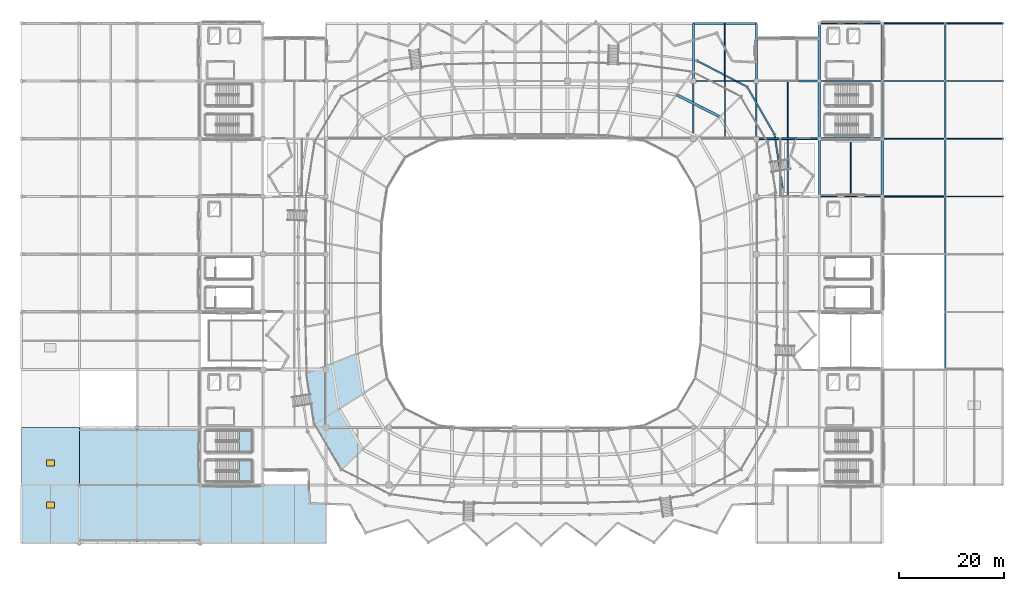
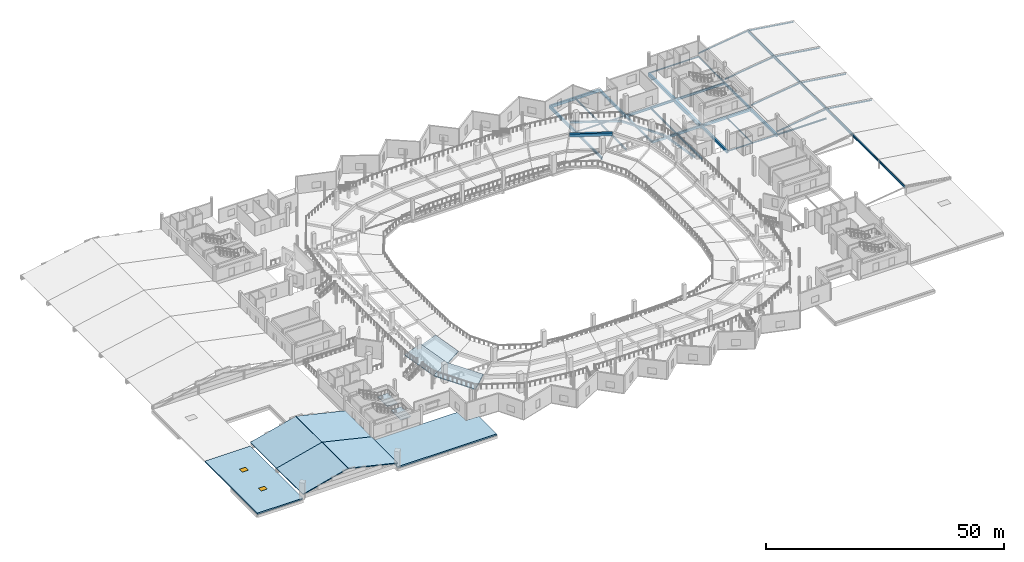
# One storey, part 34 of 77: 37 beams, 11 slabs, 2 windows, 2 openings, 2 elements without a shape of their own.
"""IFC4 building model written with IfcOpenShell, lengths in metres."""

from ifc_helpers import new_model, si_unit, direction, frame, origin, origin_2d, place, context, subcontext, project, spatial, polyline, rectangle, hollow_rectangle, i_section, outline, extrude, material, layer, layer_set, material_profile, profile_set, type_object, element, fill, aggregate, save


model = new_model("IFC4")

# Units and contexts
model_context = context("Model", 3, precision=1e-05, world=origin(), true_north=direction((0.0, 1.0)))
body_context = subcontext(model_context, "Body", "Model", "MODEL_VIEW")
ifc_project = project(units=[si_unit("LENGTHUNIT", "METRE"), si_unit("AREAUNIT", "SQUARE_METRE"), si_unit("VOLUMEUNIT", "CUBIC_METRE"), si_unit("PLANEANGLEUNIT", "RADIAN"), si_unit("MASSUNIT", "GRAM", prefix="KILO")], contexts=[model_context])

# Site, building, storey
site_placement = place(None, origin())
site = spatial("IfcSite", under=ifc_project, at=site_placement, CompositionType="ELEMENT")
building_placement = place(site_placement, origin())
building = spatial("IfcBuilding", under=site, at=building_placement, Name="Luwafu Chhajja Arena", CompositionType="ELEMENT")
storey_placement = place(building_placement, frame((0.0, 0.0, 14.699951171875)))
storey = spatial("IfcBuildingStorey", under=building, at=storey_placement, Name="L03", CompositionType="ELEMENT", Elevation=14.699951171875)

# Beams
ifc_material_1 = material(Name="Concrete C35/45", Category="concrete")
ifc_material_profile_1 = material_profile(ifc_material_1, rectangle(XDim=0.35009765625, YDim=0.60009765625, at=origin_2d()), Name="RC 350x600")
ifc_profile_set_1 = profile_set([ifc_material_profile_1], Name="Concrete C35/45")
beam_type_1 = type_object("IfcBeamType", Name="Arcade Tie Beam RC 350x600", PredefinedType="BEAM", material=ifc_profile_set_1)
beam_1_placement = place(storey_placement, frame((140.0, 77.0, -0.68994140625), z_axis=(1.0, 0.0, 0.0), x_axis=(0.0, 1.0, 0.0)))
element("IfcBeam", 1, at=beam_1_placement, inside=storey, type_object=beam_type_1, Name="L03 Grid Beam 13-14/H", PredefinedType="BEAM", context=body_context, shape_type="SweptSolid", body=[
    extrude(rectangle(XDim=0.35009765625, YDim=0.60009765625, at=origin_2d()), origin(), (0.0, 0.0, 1.0), 12.0),
])
ifc_material_2 = material(Name="Steel S355", Category="steel")
ifc_material_profile_2 = material_profile(ifc_material_2, i_section(OverallWidth=0.1259765625, OverallDepth=0.353515625, WebThickness=0.006591796875, FlangeThickness=0.0107421875, at=origin_2d()), Name="UB 356x127x39")
ifc_profile_set_2 = profile_set([ifc_material_profile_2], Name="Steel S355")
beam_type_2 = type_object("IfcBeamType", Name="Canopy Joist UB 356x127x39", PredefinedType="JOIST", material=ifc_profile_set_2)
beam_2_placement = place(storey_placement, frame((176.0, 66.0, 1.920166015625), z_axis=(0.98958518785, 0.0, -0.143948449067), x_axis=(0.0, 1.0, 0.0)))
element("IfcBeam", 2, at=beam_2_placement, inside=storey, type_object=beam_type_2, Name="East Pavilion Rafter E 6", PredefinedType="JOIST", context=body_context, shape_type="SweptSolid", body=[
    extrude(i_section(OverallWidth=0.1259765625, OverallDepth=0.353515625, WebThickness=0.006591796875, FlangeThickness=0.0107421875, at=origin_2d()), origin(), (0.0, 0.0, 1.0), 11.11572265625),
])
beam_3_placement = place(storey_placement, frame((164.0, 66.0, 0.320068359375), z_axis=(0.991226843888, 0.0, 0.13217164581), x_axis=(0.0, 1.0, 0.0)))
element("IfcBeam", 3, at=beam_3_placement, inside=storey, type_object=beam_type_2, Name="East Pavilion Rafter W 6", PredefinedType="JOIST", context=body_context, shape_type="SweptSolid", body=[
    extrude(i_section(OverallWidth=0.1259765625, OverallDepth=0.353515625, WebThickness=0.006591796875, FlangeThickness=0.0107421875, at=origin_2d()), origin(), (0.0, 0.0, 1.0), 12.106201171875),
])
beam_4_placement = place(storey_placement, frame((176.0, 77.0, 1.920166015625), z_axis=(0.98958518785, 0.0, -0.143948449067), x_axis=(0.0, 1.0, 0.0)))
element("IfcBeam", 4, at=beam_4_placement, inside=storey, type_object=beam_type_2, Name="East Pavilion Rafter E 7", PredefinedType="JOIST", context=body_context, shape_type="SweptSolid", body=[
    extrude(i_section(OverallWidth=0.1259765625, OverallDepth=0.353515625, WebThickness=0.006591796875, FlangeThickness=0.0107421875, at=origin_2d()), origin(), (0.0, 0.0, 1.0), 11.11572265625),
])
beam_5_placement = place(storey_placement, frame((164.0, 77.0, 0.320068359375), z_axis=(0.991226843888, 0.0, 0.13217164581), x_axis=(0.0, 1.0, 0.0)))
element("IfcBeam", 5, at=beam_5_placement, inside=storey, type_object=beam_type_2, Name="East Pavilion Rafter W 7", PredefinedType="JOIST", context=body_context, shape_type="SweptSolid", body=[
    extrude(i_section(OverallWidth=0.1259765625, OverallDepth=0.353515625, WebThickness=0.006591796875, FlangeThickness=0.0107421875, at=origin_2d()), origin(), (0.0, 0.0, 1.0), 12.106201171875),
])
beam_6_placement = place(storey_placement, frame((176.0, 88.0, 1.920166015625), z_axis=(0.98958518785, 0.0, -0.143948449067), x_axis=(0.0, 1.0, 0.0)))
element("IfcBeam", 6, at=beam_6_placement, inside=storey, type_object=beam_type_2, Name="East Pavilion Rafter E 8", PredefinedType="JOIST", context=body_context, shape_type="SweptSolid", body=[
    extrude(i_section(OverallWidth=0.1259765625, OverallDepth=0.353515625, WebThickness=0.006591796875, FlangeThickness=0.0107421875, at=origin_2d()), origin(), (0.0, 0.0, 1.0), 11.11572265625),
])
beam_7_placement = place(storey_placement, frame((164.0, 88.0, 0.320068359375), z_axis=(0.991226843888, 0.0, 0.13217164581), x_axis=(0.0, 1.0, 0.0)))
element("IfcBeam", 7, at=beam_7_placement, inside=storey, type_object=beam_type_2, Name="East Pavilion Rafter W 8", PredefinedType="JOIST", context=body_context, shape_type="SweptSolid", body=[
    extrude(i_section(OverallWidth=0.1259765625, OverallDepth=0.353515625, WebThickness=0.006591796875, FlangeThickness=0.0107421875, at=origin_2d()), origin(), (0.0, 0.0, 1.0), 12.106201171875),
])
beam_8_placement = place(storey_placement, frame((176.0, 99.0, 1.920166015625), z_axis=(0.98958518785, 0.0, -0.143948449067), x_axis=(0.0, 1.0, 0.0)))
element("IfcBeam", 8, at=beam_8_placement, inside=storey, type_object=beam_type_2, Name="East Pavilion Rafter E 9", PredefinedType="JOIST", context=body_context, shape_type="SweptSolid", body=[
    extrude(i_section(OverallWidth=0.1259765625, OverallDepth=0.353515625, WebThickness=0.006591796875, FlangeThickness=0.0107421875, at=origin_2d()), origin(), (0.0, 0.0, 1.0), 11.11572265625),
])
beam_9_placement = place(storey_placement, frame((164.0, 99.0, 0.320068359375), z_axis=(0.991226843888, 0.0, 0.13217164581), x_axis=(0.0, 1.0, 0.0)))
element("IfcBeam", 9, at=beam_9_placement, inside=storey, type_object=beam_type_2, Name="East Pavilion Rafter W 9", PredefinedType="JOIST", context=body_context, shape_type="SweptSolid", body=[
    extrude(i_section(OverallWidth=0.1259765625, OverallDepth=0.353515625, WebThickness=0.006591796875, FlangeThickness=0.0107421875, at=origin_2d()), origin(), (0.0, 0.0, 1.0), 12.106201171875),
])
ifc_material_profile_3 = material_profile(ifc_material_2, i_section(OverallWidth=0.165771484375, OverallDepth=0.306640625, WebThickness=0.006591796875, FlangeThickness=0.01171875, at=origin_2d()), Name="UB 305x165x46")
ifc_profile_set_3 = profile_set([ifc_material_profile_3], Name="Steel S355")
beam_type_3 = type_object("IfcBeamType", Name="Concourse Edge Spandrel Beam UB 305x165x46", PredefinedType="SPANDREL", material=ifc_profile_set_3)
for number, where, z_axis, x_axis, name in (
    (10, (128.0, 88.0, -0.543212890625), (1.0, 0.0, 0.0), (0.0, 1.0, 0.0), "L03 Grid Beam 12-13/J"),
    (11, (152.0, 66.0, -0.543212890625), (1.0, 0.0, 0.0), (0.0, 1.0, 0.0), "L03 Grid Beam 14-15/G"),
    (12, (152.0, 99.0, -0.543212890625), (1.0, 0.0, 0.0), (0.0, 1.0, 0.0), "L03 Grid Beam 14-15/K"),
):
    element("IfcBeam", number, at=place(storey_placement, frame(where, z_axis=z_axis, x_axis=x_axis)), inside=storey, type_object=beam_type_3, Name=name, PredefinedType="SPANDREL", context=body_context, shape_type="SweptSolid", body=[
        extrude(i_section(OverallWidth=0.165771484375, OverallDepth=0.306640625, WebThickness=0.006591796875, FlangeThickness=0.01171875, at=origin_2d()), origin(), (0.0, 0.0, 1.0), 12.0),
    ])
beam_10_placement = place(storey_placement, frame((164.0, 88.0, -0.543212890625), z_axis=(0.0, 1.0, 0.0), x_axis=(-1.0, 0.0, 0.0)))
element("IfcBeam", 13, at=beam_10_placement, inside=storey, type_object=beam_type_3, Name="L03 Grid Beam 15/J-K", PredefinedType="SPANDREL", context=body_context, shape_type="SweptSolid", body=[
    extrude(i_section(OverallWidth=0.165771484375, OverallDepth=0.306640625, WebThickness=0.006591796875, FlangeThickness=0.01171875, at=origin_2d()), origin(), (0.0, 0.0, 1.0), 11.0),
])
ifc_material_profile_4 = material_profile(ifc_material_1, rectangle(XDim=0.550048828125, YDim=0.949951171875, at=origin_2d()), Name="RC 550x950")
ifc_profile_set_4 = profile_set([ifc_material_profile_4], Name="Concrete C35/45")
beam_type_4 = type_object("IfcBeamType", Name="Concourse Radial Girder RC 550x950", PredefinedType="BEAM", material=ifc_profile_set_4)
beam_11_placement = place(storey_placement, frame((152.0, 77.0, -0.864990234375), z_axis=(0.0, 1.0, 0.0), x_axis=(-1.0, 0.0, 0.0)))
element("IfcBeam", 14, at=beam_11_placement, inside=storey, type_object=beam_type_4, Name="L03 Grid Beam 14/H-J", PredefinedType="BEAM", context=body_context, shape_type="SweptSolid", body=[
    extrude(rectangle(XDim=0.550048828125, YDim=0.949951171875, at=origin_2d()), origin(), (0.0, 0.0, 1.0), 11.0),
])
ifc_material_profile_5 = material_profile(ifc_material_2, i_section(OverallWidth=0.19140625, OverallDepth=0.4599609375, WebThickness=0.010009765625, FlangeThickness=0.01611328125, at=origin_2d()), Name="UB 457x191x82")
ifc_profile_set_5 = profile_set([ifc_material_profile_5], Name="Steel S355")
beam_type_5 = type_object("IfcBeamType", Name="Floor Joist UB 457x191x82", PredefinedType="JOIST", material=ifc_profile_set_5)
beam_12_placement = place(storey_placement, frame((146.0, 77.175048828125, -0.619873046875), z_axis=(0.0, 1.0, 0.0), x_axis=(-1.0, 0.0, 0.0)))
element("IfcBeam", 15, at=beam_12_placement, inside=storey, type_object=beam_type_5, Name="L03 Secondary Joist 13-14/H", PredefinedType="JOIST", context=body_context, shape_type="SweptSolid", body=[
    extrude(i_section(OverallWidth=0.19140625, OverallDepth=0.4599609375, WebThickness=0.010009765625, FlangeThickness=0.01611328125, at=origin_2d()), origin(), (0.0, 0.0, 1.0), 10.67138671875),
])
ifc_material_profile_6 = material_profile(ifc_material_2, i_section(OverallWidth=0.209228515625, OverallDepth=0.533203125, WebThickness=0.010009765625, FlangeThickness=0.015625, at=origin_2d()), Name="UB 533x210x92")
ifc_profile_set_6 = profile_set([ifc_material_profile_6], Name="Steel S355")
beam_type_6 = type_object("IfcBeamType", Name="Floor Joist UB 533x210x92", PredefinedType="JOIST", material=ifc_profile_set_6)
beam_13_placement = place(storey_placement, frame((134.0, 77.14990234375, -0.656494140625), z_axis=(0.0, 1.0, 0.0), x_axis=(-1.0, 0.0, 0.0)))
element("IfcBeam", 16, at=beam_13_placement, inside=storey, type_object=beam_type_6, Name="L03 Secondary Joist 12-13/H", PredefinedType="JOIST", context=body_context, shape_type="SweptSolid", body=[
    extrude(i_section(OverallWidth=0.209228515625, OverallDepth=0.533203125, WebThickness=0.010009765625, FlangeThickness=0.015625, at=origin_2d()), origin(), (0.0, 0.0, 1.0), 10.767333984375),
])
beam_14_placement = place(storey_placement, frame((146.0, 66.22509765625, -0.656494140625), z_axis=(0.0, 1.0, 0.0), x_axis=(-1.0, 0.0, 0.0)))
element("IfcBeam", 17, at=beam_14_placement, inside=storey, type_object=beam_type_6, Name="L03 Secondary Joist 13-14/G", PredefinedType="JOIST", context=body_context, shape_type="SweptSolid", body=[
    extrude(i_section(OverallWidth=0.209228515625, OverallDepth=0.533203125, WebThickness=0.010009765625, FlangeThickness=0.015625, at=origin_2d()), origin(), (0.0, 0.0, 1.0), 10.599853515625),
])
ifc_material_profile_7 = material_profile(ifc_material_1, rectangle(XDim=0.5, YDim=0.800048828125, at=origin_2d()), Name="RC 500x800")
ifc_profile_set_7 = profile_set([ifc_material_profile_7], Name="Concrete C35/45")
beam_type_7 = type_object("IfcBeamType", Name="Hospitality Primary Beam RC 500x800", PredefinedType="BEAM", material=ifc_profile_set_7)
beam_15_placement = place(storey_placement, frame((152.0, 88.0, -0.7900390625), z_axis=(0.0, 1.0, 0.0), x_axis=(-1.0, 0.0, 0.0)))
element("IfcBeam", 18, at=beam_15_placement, inside=storey, type_object=beam_type_7, Name="L03 Grid Beam 14/J-K", PredefinedType="BEAM", context=body_context, shape_type="SweptSolid", body=[
    extrude(rectangle(XDim=0.5, YDim=0.800048828125, at=origin_2d()), origin(), (0.0, 0.0, 1.0), 11.0),
])
beam_16_placement = place(storey_placement, frame((132.887939453125, 81.266845703125, 1.380126953125), z_axis=(-0.890679385598, 0.454631974316, 0.0), x_axis=(-0.454631974316, -0.890679385598, 0.0)))
element("IfcBeam", 19, at=beam_16_placement, inside=storey, type_object=beam_type_7, Name="Upper Tier Ring Beam S05-B3", PredefinedType="BEAM", context=body_context, shape_type="SweptSolid", body=[
    extrude(rectangle(XDim=0.5, YDim=0.800048828125, at=origin_2d()), origin(), (0.0, 0.0, 1.0), 9.02490234375),
])
ifc_material_profile_8 = material_profile(ifc_material_2, hollow_rectangle(XDim=0.300048828125, YDim=0.5, WallThickness=0.02001953125, at=origin_2d()), Name="RHS 500x300x20")
ifc_profile_set_8 = profile_set([ifc_material_profile_8], Name="Steel S355")
beam_type_8 = type_object("IfcBeamType", Name="Pleated Drum Spandrel Beam RHS 500x300", PredefinedType="SPANDREL", material=ifc_profile_set_8)
beam_17_placement = place(storey_placement, frame((164.0, 77.0, -0.639892578125), z_axis=(0.0, 1.0, 0.0), x_axis=(-1.0, 0.0, 0.0)))
element("IfcBeam", 20, at=beam_17_placement, inside=storey, type_object=beam_type_8, Name="L03 Grid Beam 15/H-J", PredefinedType="SPANDREL", context=body_context, shape_type="SweptSolid", body=[
    extrude(hollow_rectangle(XDim=0.300048828125, YDim=0.5, WallThickness=0.02001953125, at=origin_2d()), origin(), (0.0, 0.0, 1.0), 11.0),
])
beam_18_placement = place(storey_placement, frame((145.031982421875, 67.6611328125, -0.639892578125), z_axis=(-0.1515977802, 0.988442265911, 0.0), x_axis=(-0.988442265911, -0.1515977802, 0.0)))
element("IfcBeam", 21, at=beam_18_placement, inside=storey, type_object=beam_type_8, Name="L03 Drum Ring Spandrel D03-D04", PredefinedType="SPANDREL", context=body_context, shape_type="SweptSolid", body=[
    extrude(hollow_rectangle(XDim=0.300048828125, YDim=0.5, WallThickness=0.02001953125, at=origin_2d()), origin(), (0.0, 0.0, 1.0), 10.263427734375),
])
beam_19_placement = place(storey_placement, frame((143.47607421875, 77.805908203125, -0.639892578125), z_axis=(-0.498192671921, 0.867066353657, 0.0), x_axis=(-0.867066353657, -0.498192671921, 0.0)))
element("IfcBeam", 22, at=beam_19_placement, inside=storey, type_object=beam_type_8, Name="L03 Drum Ring Spandrel D04-D05", PredefinedType="SPANDREL", context=body_context, shape_type="SweptSolid", body=[
    extrude(hollow_rectangle(XDim=0.300048828125, YDim=0.5, WallThickness=0.02001953125, at=origin_2d()), origin(), (0.0, 0.0, 1.0), 10.477783203125),
])
beam_20_placement = place(storey_placement, frame((138.256103515625, 86.890869140625, -0.639892578125), z_axis=(-0.886755170812, 0.462239404463, 0.0), x_axis=(-0.462239404463, -0.886755170812, 0.0)))
element("IfcBeam", 23, at=beam_20_placement, inside=storey, type_object=beam_type_8, Name="L03 Drum Ring Spandrel D05-D06", PredefinedType="SPANDREL", context=body_context, shape_type="SweptSolid", body=[
    extrude(hollow_rectangle(XDim=0.300048828125, YDim=0.5, WallThickness=0.02001953125, at=origin_2d()), origin(), (0.0, 0.0, 1.0), 10.756103515625),
])
ifc_material_profile_9 = material_profile(ifc_material_1, rectangle(XDim=0.39990234375, YDim=0.60009765625, at=origin_2d()), Name="RC 400x600")
ifc_profile_set_9 = profile_set([ifc_material_profile_9], Name="Concrete C35/45")
beam_type_9 = type_object("IfcBeamType", Name="Podium Perimeter Spandrel RC 400x600", PredefinedType="SPANDREL", material=ifc_profile_set_9)
beam_21_placement = place(storey_placement, frame((152.0, 77.0, -0.68994140625), z_axis=(1.0, 0.0, 0.0), x_axis=(0.0, 1.0, 0.0)))
element("IfcBeam", 24, at=beam_21_placement, inside=storey, type_object=beam_type_9, Name="L03 Grid Beam 14-15/H", PredefinedType="SPANDREL", context=body_context, shape_type="SweptSolid", body=[
    extrude(rectangle(XDim=0.39990234375, YDim=0.60009765625, at=origin_2d()), origin(), (0.0, 0.0, 1.0), 12.0),
])
beam_22_placement = place(storey_placement, frame((140.0, 88.0, -0.68994140625), z_axis=(0.0, 1.0, 0.0), x_axis=(-1.0, 0.0, 0.0)))
element("IfcBeam", 25, at=beam_22_placement, inside=storey, type_object=beam_type_9, Name="L03 Grid Beam 13/J-K", PredefinedType="SPANDREL", context=body_context, shape_type="SweptSolid", body=[
    extrude(rectangle(XDim=0.39990234375, YDim=0.60009765625, at=origin_2d()), origin(), (0.0, 0.0, 1.0), 11.0),
])
ifc_material_profile_10 = material_profile(ifc_material_2, i_section(OverallWidth=0.300048828125, OverallDepth=0.5, WebThickness=0.014404296875, FlangeThickness=0.028076171875, at=origin_2d()), Name="HEB 500")
ifc_profile_set_10 = profile_set([ifc_material_profile_10], Name="Steel S355")
beam_type_10 = type_object("IfcBeamType", Name="Steel Atrium Tie Girder HEB 500", PredefinedType="BEAM", material=ifc_profile_set_10)
beam_23_placement = place(storey_placement, frame((140.0, 77.0, -0.639892578125), z_axis=(0.0, 1.0, 0.0), x_axis=(-1.0, 0.0, 0.0)))
element("IfcBeam", 26, at=beam_23_placement, inside=storey, type_object=beam_type_10, Name="L03 Grid Beam 13/H-J", PredefinedType="BEAM", context=body_context, shape_type="SweptSolid", body=[
    extrude(i_section(OverallWidth=0.300048828125, OverallDepth=0.5, WebThickness=0.014404296875, FlangeThickness=0.028076171875, at=origin_2d()), origin(), (0.0, 0.0, 1.0), 11.0),
])
ifc_material_profile_11 = material_profile(ifc_material_2, i_section(OverallWidth=0.300048828125, OverallDepth=0.300048828125, WebThickness=0.010986328125, FlangeThickness=0.01904296875, at=origin_2d()), Name="HEB 300")
ifc_profile_set_11 = profile_set([ifc_material_profile_11], Name="Steel S355")
beam_type_11 = type_object("IfcBeamType", Name="Steel Core Cap Beam HEB 300", PredefinedType="BEAM", material=ifc_profile_set_11)
beam_24_placement = place(storey_placement, frame((164.0, 66.0, -0.52001953125), z_axis=(1.0, 0.0, 0.0), x_axis=(0.0, 1.0, 0.0)))
element("IfcBeam", 27, at=beam_24_placement, inside=storey, type_object=beam_type_11, Name="L03 Core C10 Cap Beam M", PredefinedType="BEAM", context=body_context, shape_type="SweptSolid", body=[
    extrude(i_section(OverallWidth=0.300048828125, OverallDepth=0.300048828125, WebThickness=0.010986328125, FlangeThickness=0.01904296875, at=origin_2d()), origin(), (0.0, 0.0, 1.0), 12.0),
])
ifc_material_profile_12 = material_profile(ifc_material_2, i_section(OverallWidth=0.30712890625, OverallDepth=0.6201171875, WebThickness=0.01416015625, FlangeThickness=0.023681640625, at=origin_2d()), Name="UB 610x305x179")
ifc_profile_set_12 = profile_set([ifc_material_profile_12], Name="Steel S355")
beam_type_12 = type_object("IfcBeamType", Name="Steel Hospitality Girder UB 610x305x179", PredefinedType="BEAM", material=ifc_profile_set_12)
beam_25_placement = place(storey_placement, frame((140.0, 88.0, -0.699951171875), z_axis=(1.0, 0.0, 0.0), x_axis=(0.0, 1.0, 0.0)))
element("IfcBeam", 28, at=beam_25_placement, inside=storey, type_object=beam_type_12, Name="L03 Grid Beam 13-14/J", PredefinedType="BEAM", context=body_context, shape_type="SweptSolid", body=[
    extrude(i_section(OverallWidth=0.30712890625, OverallDepth=0.6201171875, WebThickness=0.01416015625, FlangeThickness=0.023681640625, at=origin_2d()), origin(), (0.0, 0.0, 1.0), 12.0),
])
beam_26_placement = place(storey_placement, frame((128.0, 77.0, -0.699951171875), z_axis=(0.0, 1.0, 0.0), x_axis=(-1.0, 0.0, 0.0)))
element("IfcBeam", 29, at=beam_26_placement, inside=storey, type_object=beam_type_12, Name="L03 Grid Beam 12/H-J", PredefinedType="BEAM", context=body_context, shape_type="SweptSolid", body=[
    extrude(i_section(OverallWidth=0.30712890625, OverallDepth=0.6201171875, WebThickness=0.01416015625, FlangeThickness=0.023681640625, at=origin_2d()), origin(), (0.0, 0.0, 1.0), 11.0),
])
ifc_material_profile_13 = material_profile(ifc_material_2, i_section(OverallWidth=0.22900390625, OverallDepth=0.6123046875, WebThickness=0.011962890625, FlangeThickness=0.01953125, at=origin_2d()), Name="UB 610x229x125")
ifc_profile_set_13 = profile_set([ifc_material_profile_13], Name="Steel S355")
beam_type_13 = type_object("IfcBeamType", Name="Steel Mezzanine Girder UB 610x229x125", PredefinedType="BEAM", material=ifc_profile_set_13)
beam_27_placement = place(storey_placement, frame((152.0, 88.0, -0.696044921875), z_axis=(1.0, 0.0, 0.0), x_axis=(0.0, 1.0, 0.0)))
element("IfcBeam", 30, at=beam_27_placement, inside=storey, type_object=beam_type_13, Name="L03 Grid Beam 14-15/J", PredefinedType="BEAM", context=body_context, shape_type="SweptSolid", body=[
    extrude(i_section(OverallWidth=0.22900390625, OverallDepth=0.6123046875, WebThickness=0.011962890625, FlangeThickness=0.01953125, at=origin_2d()), origin(), (0.0, 0.0, 1.0), 12.0),
])
beam_28_placement = place(storey_placement, frame((176.0, 33.0, 1.85009765625), z_axis=(0.0, 1.0, 0.0), x_axis=(-1.0, 0.0, 0.0)))
element("IfcBeam", 31, at=beam_28_placement, inside=storey, type_object=beam_type_13, Name="East Pavilion Continuous Ridge Girder", PredefinedType="BEAM", context=body_context, shape_type="SweptSolid", body=[
    extrude(i_section(OverallWidth=0.22900390625, OverallDepth=0.6123046875, WebThickness=0.011962890625, FlangeThickness=0.01953125, at=origin_2d()), origin(), (0.0, 0.0, 1.0), 66.0),
])
ifc_material_profile_14 = material_profile(ifc_material_1, rectangle(XDim=0.39990234375, YDim=0.699951171875, at=origin_2d()), Name="RC 400x700")
ifc_profile_set_14 = profile_set([ifc_material_profile_14], Name="Concrete C35/45")
beam_type_14 = type_object("IfcBeamType", Name="Wing Frame Beam RC 400x700", PredefinedType="BEAM", material=ifc_profile_set_14)
beam_29_placement = place(storey_placement, frame((128.0, 88.0, -0.724853515625), z_axis=(0.0, 1.0, 0.0), x_axis=(-1.0, 0.0, 0.0)))
element("IfcBeam", 32, at=beam_29_placement, inside=storey, type_object=beam_type_14, Name="L03 Podium Roof Deck Beam Y-11_08", PredefinedType="BEAM", context=body_context, shape_type="SweptSolid", body=[
    extrude(rectangle(XDim=0.39990234375, YDim=0.699951171875, at=origin_2d()), origin(), (0.0, 0.0, 1.0), 11.0),
])
beam_30_placement = place(storey_placement, frame((128.0, 99.0, -0.724853515625), z_axis=(1.0, 0.0, 0.0), x_axis=(0.0, 1.0, 0.0)))
element("IfcBeam", 33, at=beam_30_placement, inside=storey, type_object=beam_type_14, Name="L03 Podium Roof Deck Beam X-11_09", PredefinedType="BEAM", context=body_context, shape_type="SweptSolid", body=[
    extrude(rectangle(XDim=0.39990234375, YDim=0.699951171875, at=origin_2d()), origin(), (0.0, 0.0, 1.0), 12.0),
])
for number, where, z_axis, x_axis, name in (
    (34, (152.0, 66.0, -0.724853515625), (0.0, 1.0, 0.0), (-1.0, 0.0, 0.0), "L03 Podium Roof Deck Beam Y-13_06"),
    (35, (164.0, 66.0, -0.724853515625), (0.0, 1.0, 0.0), (-1.0, 0.0, 0.0), "L03 Podium Roof Deck Beam Y-14_06"),
):
    element("IfcBeam", number, at=place(storey_placement, frame(where, z_axis=z_axis, x_axis=x_axis)), inside=storey, type_object=beam_type_14, Name=name, PredefinedType="BEAM", context=body_context, shape_type="SweptSolid", body=[
        extrude(rectangle(XDim=0.39990234375, YDim=0.699951171875, at=origin_2d()), origin(), (0.0, 0.0, 1.0), 11.0),
    ])
ifc_material_profile_15 = material_profile(ifc_material_2, i_section(OverallWidth=0.172119140625, OverallDepth=0.35791015625, WebThickness=0.008056640625, FlangeThickness=0.012939453125, at=origin_2d()), Name="UB 356x171x57")
ifc_profile_set_15 = profile_set([ifc_material_profile_15], Name="Steel S355")
beam_type_15 = type_object("IfcBeamType", Name="Wing Roof Purlin Joist UB 356x171x57", PredefinedType="JOIST", material=ifc_profile_set_15)
for number, where, z_axis, x_axis, name in (
    (36, (134.0, 88.10009765625, -0.554931640625), (0.0, 1.0, 0.0), (-1.0, 0.0, 0.0), "L03 Podium Roof Joist 11/8"),
    (37, (158.0, 66.10009765625, -0.554931640625), (0.0, 1.0, 0.0), (-1.0, 0.0, 0.0), "L03 Podium Roof Joist 13/6"),
):
    element("IfcBeam", number, at=place(storey_placement, frame(where, z_axis=z_axis, x_axis=x_axis)), inside=storey, type_object=beam_type_15, Name=name, PredefinedType="JOIST", context=body_context, shape_type="SweptSolid", body=[
        extrude(i_section(OverallWidth=0.172119140625, OverallDepth=0.35791015625, WebThickness=0.008056640625, FlangeThickness=0.012939453125, at=origin_2d()), origin(), (0.0, 0.0, 1.0), 10.7998046875),
    ])

# Slab, openings, windows
ifc_layer_1 = layer(ifc_material_1, 0.360107421875, Name="Concrete C35/45")
ifc_layer_set_1 = layer_set([ifc_layer_1], Name="Concrete C35/45")
slab_type_1 = type_object("IfcSlabType", Name="Core Overrun Structural Roof Cap 360", PredefinedType="ROOF", material=ifc_layer_set_1)
slab_1_placement = place(storey_placement, frame((0.0, 0.0, -0.35986328125)))
slab_1 = element("IfcSlab", 38, at=slab_1_placement, inside=storey, type_object=slab_type_1, Name="L03 Core C9 Roof Slab", PredefinedType="ROOF", context=body_context, shape_type="SweptSolid", body=[
    extrude(outline(polyline([(0.0, 0.0), (11.0, 0.0), (11.0, 22.0), (0.0, 22.0), (0.0, 0.0)])), origin(), (0.0, 0.0, 1.0), 0.35986328125),
])
opening_1_placement = place(slab_1_placement, frame((5.5, 15.199951171875, -0.010009765625)))
opening_1 = element("IfcOpeningElement", 39, at=opening_1_placement, cuts=slab_1, Name="Opening RH-01", PredefinedType="OPENING", context=body_context, shape_type="SweptSolid", body=[
    extrude(rectangle(XDim=1.5, YDim=1.199951171875, at=origin_2d()), origin(), (0.0, 0.0, 1.0), 0.3798828125),
])
opening_2_placement = place(slab_1_placement, frame((5.5, 7.199951171875, -0.010009765625)))
opening_2 = element("IfcOpeningElement", 40, at=opening_2_placement, cuts=slab_1, Name="Opening RH-01", PredefinedType="OPENING", context=body_context, shape_type="SweptSolid", body=[
    extrude(rectangle(XDim=1.5, YDim=1.199951171875, at=origin_2d()), origin(), (0.0, 0.0, 1.0), 0.3798828125),
])
ifc_material_3 = material(Name="Solar-control laminated glass", Category="glass")
window_type = type_object("IfcWindowType", Name="Bowl Ring Smoke-Vent Roof Hatch 1500x1200", PartitioningType="SINGLE_PANEL", PredefinedType="SKYLIGHT", material=ifc_material_3)
window_1_placement = place(opening_1_placement, frame((0.0, 0.0, 0.31982421875)))
window_1 = element("IfcWindow", 41, at=window_1_placement, inside=storey, type_object=window_type, Name="L03 Roof Skylight and Access Hatch 01", OverallHeight=1.199951171875, OverallWidth=1.5, PartitioningType="SINGLE_PANEL", PredefinedType="SKYLIGHT", context=body_context, shape_type="SweptSolid", body=[
    extrude(rectangle(XDim=1.5, YDim=1.199951171875, at=origin_2d()), origin(), (0.0, 0.0, 1.0), 0.050048828125),
])
fill(opening_1, window_1)
window_2_placement = place(opening_2_placement, frame((0.0, 0.0, 0.31982421875)))
window_2 = element("IfcWindow", 42, at=window_2_placement, inside=storey, type_object=window_type, Name="L03 Roof Skylight and Access Hatch 02", OverallHeight=1.199951171875, OverallWidth=1.5, PartitioningType="SINGLE_PANEL", PredefinedType="SKYLIGHT", context=body_context, shape_type="SweptSolid", body=[
    extrude(rectangle(XDim=1.5, YDim=1.199951171875, at=origin_2d()), origin(), (0.0, 0.0, 1.0), 0.050048828125),
])
fill(opening_2, window_2)

# Slab
slab_2_placement = place(storey_placement, frame((0.0, 0.0, -0.35986328125)))
element("IfcSlab", 43, at=slab_2_placement, inside=storey, type_object=slab_type_1, Name="L03 Podium Structural Roof Slab 04-1", PredefinedType="ROOF", context=body_context, shape_type="SweptSolid", body=[
    extrude(outline(polyline([(54.916015625, 7.50390625), (58.0, 7.387939453125), (58.0, 0.0), (34.0, 0.0), (34.0, 10.97998046875), (46.0, 10.97998046875), (46.02001953125, 11.0), (54.7451171875, 11.0), (54.89599609375, 7.52294921875), (54.916015625, 7.50390625)])), origin(), (0.0, 0.0, 1.0), 0.35986328125),
])

# Stair, slab
stair_type = type_object("IfcStairType", Name="Quadrant Protected Dog-Leg Stair 1920", PredefinedType="HALF_TURN_STAIR", material=ifc_material_1)
stair_1_placement = place(storey_placement, origin())
stair_1 = element("IfcStair", 44, at=stair_1_placement, inside=storey, type_object=stair_type, Name="L03 Protected Escape Stair ST-01", PredefinedType="HALF_TURN_STAIR")
ifc_layer_2 = layer(ifc_material_1, 0.199951171875, Name="Concrete C35/45")
ifc_layer_set_2 = layer_set([ifc_layer_2], Name="Concrete C35/45")
slab_type_2 = type_object("IfcSlabType", Name="Escape Stair Landing Slab 200", PredefinedType="LANDING", material=ifc_layer_set_2)
slab_3_placement = place(storey_placement, frame((0.0, 0.0, 2.199951171875)))
slab_3 = element("IfcSlab", 45, at=slab_3_placement, type_object=slab_type_2, Name="ST-01 landing 1", PredefinedType="LANDING", context=body_context, shape_type="SweptSolid", body=[
    extrude(outline(polyline([(41.43994140625, 11.64990234375), (43.89990234375, 11.64990234375), (43.89990234375, 15.68994140625), (41.43994140625, 15.68994140625), (41.43994140625, 11.64990234375)])), origin(), (0.0, 0.0, 1.0), 0.2001953125),
])
aggregate(stair_1, [slab_3])

stair_2_placement = place(storey_placement, origin())
stair_2 = element("IfcStair", 46, at=stair_2_placement, inside=storey, type_object=stair_type, Name="L03 Protected Escape Stair ST-02", PredefinedType="HALF_TURN_STAIR")
slab_4_placement = place(storey_placement, frame((0.0, 0.0, 2.199951171875)))
slab_4 = element("IfcSlab", 47, at=slab_4_placement, type_object=slab_type_2, Name="ST-02 landing 1", PredefinedType="LANDING", context=body_context, shape_type="SweptSolid", body=[
    extrude(outline(polyline([(41.43994140625, 17.31005859375), (43.89990234375, 17.31005859375), (43.89990234375, 21.35009765625), (41.43994140625, 21.35009765625), (41.43994140625, 17.31005859375)])), origin(), (0.0, 0.0, 1.0), 0.2001953125),
])
aggregate(stair_2, [slab_4])

# Slabs
ifc_material_4 = material(Name="Precast concrete C40/50", Category="concrete")
ifc_layer_3 = layer(ifc_material_4, 0.22998046875, Name="Precast concrete C40/50")
ifc_layer_set_3 = layer_set([ifc_layer_3], Name="Precast concrete C40/50")
slab_type_3 = type_object("IfcSlabType", Name="Pishtaq Folded Gable Roof Slab 230", PredefinedType="ROOF", material=ifc_layer_set_3)
slab_5_placement = place(storey_placement, frame((11.0, 0.0, 1.0), z_axis=(-0.246698448352, 0.0, 0.969092294666), x_axis=(0.969092294666, 0.0, 0.246698448352)))
element("IfcSlab", 48, at=slab_5_placement, inside=storey, type_object=slab_type_3, Name="Pishtaq Folded Gable Roof 0W", PredefinedType="ROOF", context=body_context, shape_type="SweptSolid", body=[
    extrude(outline(polyline([(0.0, 0.0), (11.309512001930134, 0.0), (11.309512001930134, 11.0), (0.0, 11.0), (0.0, 0.0)])), origin(), (0.0, 0.0, -1.0), 0.22998046875),
])
slab_6_placement = place(storey_placement, frame((22.0400390625, 0.0, 3.7900390625), z_axis=(0.227181854484, 0.0, 0.973852352769), x_axis=(0.973852352769, 0.0, -0.227181854484)))
element("IfcSlab", 49, at=slab_6_placement, inside=storey, type_object=slab_type_3, Name="Pishtaq Folded Gable Roof 0E", PredefinedType="ROOF", context=body_context, shape_type="SweptSolid", body=[
    extrude(outline(polyline([(0.0, 0.0), (12.281082346308153, 0.0), (12.281082346308153, 11.0), (0.0, 11.0), (0.0, 0.0)])), origin(), (0.0, 0.0, -1.0), 0.22998046875),
])
slab_7_placement = place(storey_placement, frame((11.0, 11.0, 1.0), z_axis=(-0.246698448352, 0.0, 0.969092294666), x_axis=(0.969092294666, 0.0, 0.246698448352)))
element("IfcSlab", 50, at=slab_7_placement, inside=storey, type_object=slab_type_3, Name="Pishtaq Folded Gable Roof 1W", PredefinedType="ROOF", context=body_context, shape_type="SweptSolid", body=[
    extrude(outline(polyline([(0.0, 0.0), (11.309512001930134, 0.0), (11.309512001930134, 11.0), (0.0, 11.0), (0.0, 0.0)])), origin(), (0.0, 0.0, -1.0), 0.22998046875),
])
slab_8_placement = place(storey_placement, frame((22.0400390625, 11.0, 3.7900390625), z_axis=(0.227181854484, 0.0, 0.973852352769), x_axis=(0.973852352769, 0.0, -0.227181854484)))
element("IfcSlab", 51, at=slab_8_placement, inside=storey, type_object=slab_type_3, Name="Pishtaq Folded Gable Roof 1E", PredefinedType="ROOF", context=body_context, shape_type="SweptSolid", body=[
    extrude(outline(polyline([(0.0, 0.0), (12.281082346308153, 0.0), (12.281082346308153, 11.0), (0.0, 11.0), (0.0, 0.0)])), origin(), (0.0, 0.0, -1.0), 0.22998046875),
])
ifc_layer_4 = layer(ifc_material_4, 0.2099609375, Name="Precast concrete C40/50")
ifc_layer_set_4 = layer_set([ifc_layer_4], Name="Precast concrete C40/50")
slab_type_4 = type_object("IfcSlabType", Name="Precast Upper Seating Tier Slab 210", PredefinedType="USERDEFINED", material=ifc_layer_set_4)
slab_9_placement = place(storey_placement, frame((0.0, 0.0, 1.219970703125)))
element("IfcSlab", 52, at=slab_9_placement, inside=storey, type_object=slab_type_4, Name="Stand Upper Tier Sector 19 Row Band 2", ObjectType="SEATING TIER", PredefinedType="USERDEFINED", context=body_context, shape_type="SweptSolid", body=[
    extrude(outline(polyline([(63.904296875, 35.992431640625), (65.090576171875, 28.447021484375), (60.479736328125, 25.49462890625), (59.132080078125, 34.09814453125), (63.904296875, 35.992431640625)])), origin(), (0.0, 0.0, 1.0), 0.2099609375),
])
slab_10_placement = place(storey_placement, frame((0.0, 0.0, 1.820068359375)))
element("IfcSlab", 53, at=slab_10_placement, inside=storey, type_object=slab_type_4, Name="Stand Upper Tier Sector 19 Row Band 3", ObjectType="SEATING TIER", PredefinedType="USERDEFINED", context=body_context, shape_type="SweptSolid", body=[
    extrude(outline(polyline([(59.132080078125, 34.09814453125), (60.479736328125, 25.49462890625), (55.772705078125, 22.5419921875), (54.260498046875, 32.20361328125), (59.132080078125, 34.09814453125)])), origin(), (0.0, 0.0, 1.0), 0.2099609375),
])
slab_11_placement = place(storey_placement, frame((0.0, 0.0, 1.820068359375)))
element("IfcSlab", 54, at=slab_11_placement, inside=storey, type_object=slab_type_4, Name="Stand Upper Tier Sector 20 Row Band 3", ObjectType="SEATING TIER", PredefinedType="USERDEFINED", context=body_context, shape_type="SweptSolid", body=[
    extrude(outline(polyline([(60.479736328125, 25.49462890625), (65.000732421875, 17.789794921875), (60.84619140625, 13.8896484375), (55.772705078125, 22.5419921875), (60.479736328125, 25.49462890625)])), origin(), (0.0, 0.0, 1.0), 0.2099609375),
])

save(model, "model.ifc")
